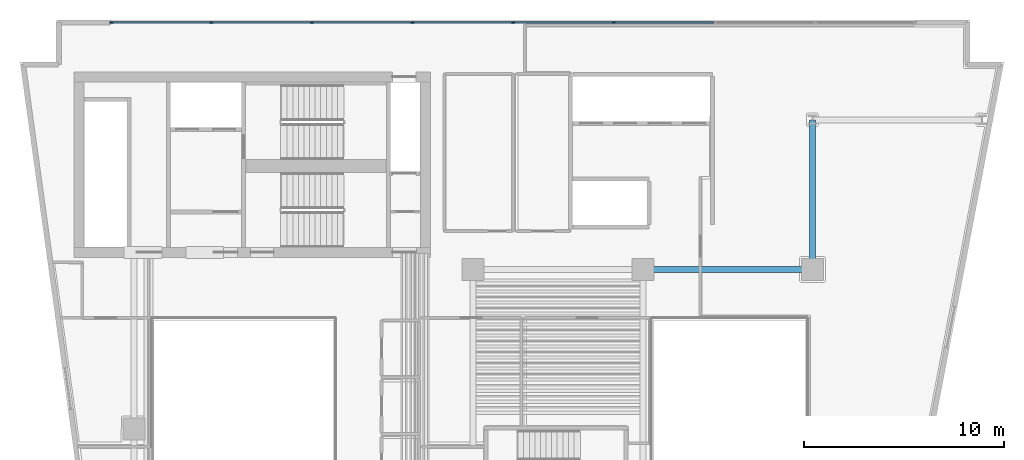
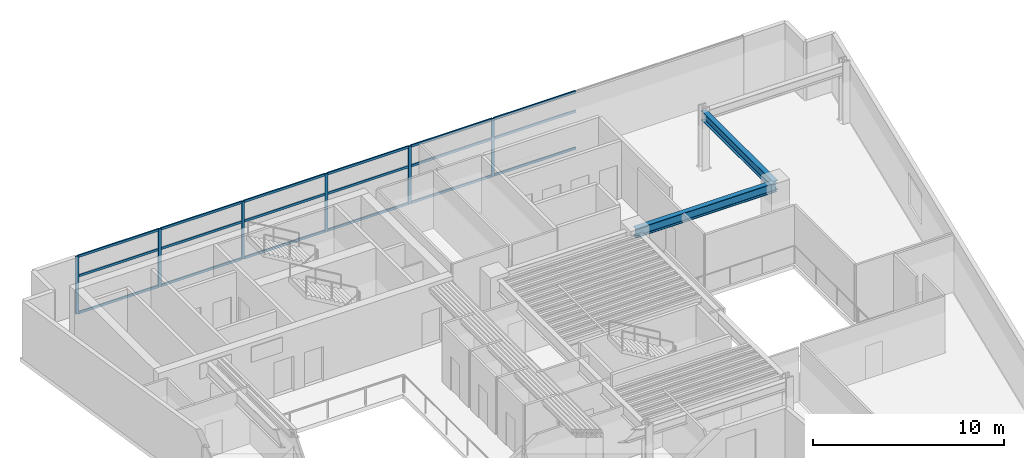
# One storey, part 3 of 12: 24 members, 2 beams, 1 element without a shape of its own.
"""IFC4 building model written with IfcOpenShell, lengths in metres."""

from ifc_helpers import new_model, si_unit, direction, frame, origin, origin_2d, place, context, subcontext, project, spatial, rectangle, i_section, extrude, material, layer, layer_set, material_profile, profile_set, type_object, element, aggregate, save


model = new_model("IFC4")

# Units and contexts
model_context = context("Model", 3, precision=1e-05, world=origin(), true_north=direction((0.0, 1.0)))
body_context = subcontext(model_context, "Body", "Model", "MODEL_VIEW")
ifc_project = project(units=[si_unit("LENGTHUNIT", "METRE"), si_unit("AREAUNIT", "SQUARE_METRE"), si_unit("VOLUMEUNIT", "CUBIC_METRE"), si_unit("PLANEANGLEUNIT", "RADIAN"), si_unit("MASSUNIT", "GRAM", prefix="KILO")], contexts=[model_context])

# Site, building, storey
site_placement = place(None, origin())
site = spatial("IfcSite", under=ifc_project, at=site_placement, CompositionType="ELEMENT")
building_placement = place(site_placement, origin())
building = spatial("IfcBuilding", under=site, at=building_placement, Name="Caeloran Harvest Quay", CompositionType="ELEMENT")
storey_placement = place(building_placement, frame((0.0, 0.0, 150.89990234375)))
storey = spatial("IfcBuildingStorey", under=building, at=storey_placement, Name="L35", CompositionType="ELEMENT", Elevation=150.89990234375)

# Beams
ifc_material_1 = material(Name="Steel S355J2", Category="steel")
ifc_material_profile_1 = material_profile(ifc_material_1, i_section(OverallWidth=0.300048828125, OverallDepth=0.60009765625, WebThickness=0.015380859375, FlangeThickness=0.030029296875, FilletRadius=0.027099609375, at=origin_2d()), Name="HE 600 B")
ifc_profile_set_1 = profile_set([ifc_material_profile_1], Name="Steel S355J2")
beam_type = type_object("IfcBeamType", Name="BM-PG-3-HE_600_B", PredefinedType="BEAM", material=ifc_profile_set_1)
beam_1_placement = place(storey_placement, frame((34.0, 31.0, 3.39013671875), z_axis=(1.0, 0.0, 0.0), x_axis=(0.0, 1.0, 0.0)))
element("IfcBeam", 1, at=beam_1_placement, inside=storey, type_object=beam_type, Name="L35 Primary East-West Girder Y=31.0", PredefinedType="BEAM", context=body_context, shape_type="SweptSolid", body=[
    extrude(i_section(OverallWidth=0.300048828125, OverallDepth=0.60009765625, WebThickness=0.015380859375, FlangeThickness=0.030029296875, FilletRadius=0.027099609375, at=origin_2d()), origin(), (0.0, 0.0, 1.0), 8.5),
])
beam_2_placement = place(storey_placement, frame((42.5, 31.0, 3.39013671875), z_axis=(0.0, 1.0, 0.0), x_axis=(-1.0, 0.0, 0.0)))
element("IfcBeam", 2, at=beam_2_placement, inside=storey, type_object=beam_type, Name="L35 Primary North-South Girder X=42.5", PredefinedType="BEAM", context=body_context, shape_type="SweptSolid", body=[
    extrude(i_section(OverallWidth=0.300048828125, OverallDepth=0.60009765625, WebThickness=0.015380859375, FlangeThickness=0.030029296875, FilletRadius=0.027099609375, at=origin_2d()), origin(), (0.0, 0.0, 1.0), 7.5),
])

# Curtain wall, members
ifc_material_2 = material(Name="Aluminium 6063-T6 and Low-E Glazing", Category="aluminium")
ifc_layer = layer(ifc_material_2, 0.22998046875, Name="Aluminium 6063-T6 and Low-E Glazing")
ifc_layer_set = layer_set([ifc_layer], Name="Aluminium 6063-T6 and Low-E Glazing")
curtain_wall_type = type_object("IfcCurtainWallType", Name="CW-SYS-CW-6", PredefinedType="USERDEFINED", material=ifc_layer_set)
curtain_wall_placement = place(storey_placement, origin())
curtain_wall = element("IfcCurtainWall", 3, at=curtain_wall_placement, inside=storey, type_object=curtain_wall_type, Name="L35 Unitised Curtain Wall CW-6 Run 6", ObjectType="CURTAIN_WALL", PredefinedType="USERDEFINED")
ifc_material_3 = material(Name="Aluminium 6063-T6", Category="aluminium")
ifc_material_profile_2 = material_profile(ifc_material_3, rectangle(XDim=0.080078125, YDim=0.179931640625, at=origin_2d()), Name="CW-MULLION-180")
ifc_profile_set_2 = profile_set([ifc_material_profile_2], Name="Aluminium 6063-T6")
member_type_1 = type_object("IfcMemberType", Name="CW-MULLION-180", PredefinedType="MULLION", material=ifc_profile_set_2)
member_1_placement = place(storey_placement, frame((7.3701171875, 43.3701171875, 0.0), z_axis=(0.0, 0.0, 1.0), x_axis=(0.0, 1.0, 0.0)))
member_1 = element("IfcMember", 4, at=member_1_placement, type_object=member_type_1, Name="CW-6 mullion 1", PredefinedType="MULLION", context=body_context, shape_type="SweptSolid", body=[
    extrude(rectangle(XDim=0.080078125, YDim=0.179931640625, at=origin_2d()), origin(), (0.0, 0.0, 1.0), 3.690185546875),
])
member_2_placement = place(storey_placement, frame((12.37255859375, 43.3701171875, 0.0), z_axis=(0.0, 0.0, 1.0), x_axis=(0.0, 1.0, 0.0)))
member_2 = element("IfcMember", 5, at=member_2_placement, type_object=member_type_1, Name="CW-6 mullion 2", PredefinedType="MULLION", context=body_context, shape_type="SweptSolid", body=[
    extrude(rectangle(XDim=0.080078125, YDim=0.179931640625, at=origin_2d()), origin(), (0.0, 0.0, 1.0), 3.690185546875),
])
member_3_placement = place(storey_placement, frame((17.4150390625, 43.3701171875, 0.0), z_axis=(0.0, 0.0, 1.0), x_axis=(0.0, 1.0, 0.0)))
member_3 = element("IfcMember", 6, at=member_3_placement, type_object=member_type_1, Name="CW-6 mullion 3", PredefinedType="MULLION", context=body_context, shape_type="SweptSolid", body=[
    extrude(rectangle(XDim=0.080078125, YDim=0.179931640625, at=origin_2d()), origin(), (0.0, 0.0, 1.0), 3.690185546875),
])
member_4_placement = place(storey_placement, frame((22.45751953125, 43.3701171875, 0.0), z_axis=(0.0, 0.0, 1.0), x_axis=(0.0, 1.0, 0.0)))
member_4 = element("IfcMember", 7, at=member_4_placement, type_object=member_type_1, Name="CW-6 mullion 4", PredefinedType="MULLION", context=body_context, shape_type="SweptSolid", body=[
    extrude(rectangle(XDim=0.080078125, YDim=0.179931640625, at=origin_2d()), origin(), (0.0, 0.0, 1.0), 3.690185546875),
])
member_5_placement = place(storey_placement, frame((27.5, 43.3701171875, 0.0), z_axis=(0.0, 0.0, 1.0), x_axis=(0.0, 1.0, 0.0)))
member_5 = element("IfcMember", 8, at=member_5_placement, type_object=member_type_1, Name="CW-6 mullion 5", PredefinedType="MULLION", context=body_context, shape_type="SweptSolid", body=[
    extrude(rectangle(XDim=0.080078125, YDim=0.179931640625, at=origin_2d()), origin(), (0.0, 0.0, 1.0), 3.690185546875),
])
member_6_placement = place(storey_placement, frame((32.54248046875, 43.3701171875, 0.0), z_axis=(0.0, 0.0, 1.0), x_axis=(0.0, 1.0, 0.0)))
member_6 = element("IfcMember", 9, at=member_6_placement, type_object=member_type_1, Name="CW-6 mullion 6", PredefinedType="MULLION", context=body_context, shape_type="SweptSolid", body=[
    extrude(rectangle(XDim=0.080078125, YDim=0.179931640625, at=origin_2d()), origin(), (0.0, 0.0, 1.0), 3.690185546875),
])
ifc_material_profile_3 = material_profile(ifc_material_3, rectangle(XDim=0.080078125, YDim=0.14990234375, at=origin_2d()), Name="CW-TRANSOM-150")
ifc_profile_set_3 = profile_set([ifc_material_profile_3], Name="Aluminium 6063-T6")
member_type_2 = type_object("IfcMemberType", Name="CW-TRANSOM-150", PredefinedType="USERDEFINED", material=ifc_profile_set_3)
member_7_placement = place(storey_placement, frame((7.409912109375, 43.3701171875, 0.0400390625), z_axis=(1.0, 0.0, 0.0), x_axis=(0.0, 1.0, 0.0)))
member_7 = element("IfcMember", 10, at=member_7_placement, type_object=member_type_2, Name="CW-6 transom 1.1", ObjectType="TRANSOM", PredefinedType="USERDEFINED", context=body_context, shape_type="SweptSolid", body=[
    extrude(rectangle(XDim=0.080078125, YDim=0.14990234375, at=origin_2d()), origin(), (0.0, 0.0, 1.0), 4.922607421875),
])
member_8_placement = place(storey_placement, frame((7.409912109375, 43.3701171875, 2.400146484375), z_axis=(1.0, 0.0, 0.0), x_axis=(0.0, 1.0, 0.0)))
member_8 = element("IfcMember", 11, at=member_8_placement, type_object=member_type_2, Name="CW-6 transom 1.2", ObjectType="TRANSOM", PredefinedType="USERDEFINED", context=body_context, shape_type="SweptSolid", body=[
    extrude(rectangle(XDim=0.080078125, YDim=0.14990234375, at=origin_2d()), origin(), (0.0, 0.0, 1.0), 4.922607421875),
])
member_9_placement = place(storey_placement, frame((7.409912109375, 43.3701171875, 3.650146484375), z_axis=(1.0, 0.0, 0.0), x_axis=(0.0, 1.0, 0.0)))
member_9 = element("IfcMember", 12, at=member_9_placement, type_object=member_type_2, Name="CW-6 transom 1.3", ObjectType="TRANSOM", PredefinedType="USERDEFINED", context=body_context, shape_type="SweptSolid", body=[
    extrude(rectangle(XDim=0.080078125, YDim=0.14990234375, at=origin_2d()), origin(), (0.0, 0.0, 1.0), 4.922607421875),
])
member_10_placement = place(storey_placement, frame((12.41259765625, 43.3701171875, 0.0400390625), z_axis=(1.0, 0.0, 0.0), x_axis=(0.0, 1.0, 0.0)))
member_10 = element("IfcMember", 13, at=member_10_placement, type_object=member_type_2, Name="CW-6 transom 2.1", ObjectType="TRANSOM", PredefinedType="USERDEFINED", context=body_context, shape_type="SweptSolid", body=[
    extrude(rectangle(XDim=0.080078125, YDim=0.14990234375, at=origin_2d()), origin(), (0.0, 0.0, 1.0), 4.96240234375),
])
member_11_placement = place(storey_placement, frame((12.41259765625, 43.3701171875, 2.400146484375), z_axis=(1.0, 0.0, 0.0), x_axis=(0.0, 1.0, 0.0)))
member_11 = element("IfcMember", 14, at=member_11_placement, type_object=member_type_2, Name="CW-6 transom 2.2", ObjectType="TRANSOM", PredefinedType="USERDEFINED", context=body_context, shape_type="SweptSolid", body=[
    extrude(rectangle(XDim=0.080078125, YDim=0.14990234375, at=origin_2d()), origin(), (0.0, 0.0, 1.0), 4.96240234375),
])
member_12_placement = place(storey_placement, frame((12.41259765625, 43.3701171875, 3.650146484375), z_axis=(1.0, 0.0, 0.0), x_axis=(0.0, 1.0, 0.0)))
member_12 = element("IfcMember", 15, at=member_12_placement, type_object=member_type_2, Name="CW-6 transom 2.3", ObjectType="TRANSOM", PredefinedType="USERDEFINED", context=body_context, shape_type="SweptSolid", body=[
    extrude(rectangle(XDim=0.080078125, YDim=0.14990234375, at=origin_2d()), origin(), (0.0, 0.0, 1.0), 4.96240234375),
])
member_13_placement = place(storey_placement, frame((17.455078125, 43.3701171875, 0.0400390625), z_axis=(1.0, 0.0, 0.0), x_axis=(0.0, 1.0, 0.0)))
member_13 = element("IfcMember", 16, at=member_13_placement, type_object=member_type_2, Name="CW-6 transom 3.1", ObjectType="TRANSOM", PredefinedType="USERDEFINED", context=body_context, shape_type="SweptSolid", body=[
    extrude(rectangle(XDim=0.080078125, YDim=0.14990234375, at=origin_2d()), origin(), (0.0, 0.0, 1.0), 4.96240234375),
])
member_14_placement = place(storey_placement, frame((17.455078125, 43.3701171875, 2.400146484375), z_axis=(1.0, 0.0, 0.0), x_axis=(0.0, 1.0, 0.0)))
member_14 = element("IfcMember", 17, at=member_14_placement, type_object=member_type_2, Name="CW-6 transom 3.2", ObjectType="TRANSOM", PredefinedType="USERDEFINED", context=body_context, shape_type="SweptSolid", body=[
    extrude(rectangle(XDim=0.080078125, YDim=0.14990234375, at=origin_2d()), origin(), (0.0, 0.0, 1.0), 4.96240234375),
])
member_15_placement = place(storey_placement, frame((17.455078125, 43.3701171875, 3.650146484375), z_axis=(1.0, 0.0, 0.0), x_axis=(0.0, 1.0, 0.0)))
member_15 = element("IfcMember", 18, at=member_15_placement, type_object=member_type_2, Name="CW-6 transom 3.3", ObjectType="TRANSOM", PredefinedType="USERDEFINED", context=body_context, shape_type="SweptSolid", body=[
    extrude(rectangle(XDim=0.080078125, YDim=0.14990234375, at=origin_2d()), origin(), (0.0, 0.0, 1.0), 4.96240234375),
])
member_16_placement = place(storey_placement, frame((22.49755859375, 43.3701171875, 0.0400390625), z_axis=(1.0, 0.0, 0.0), x_axis=(0.0, 1.0, 0.0)))
member_16 = element("IfcMember", 19, at=member_16_placement, type_object=member_type_2, Name="CW-6 transom 4.1", ObjectType="TRANSOM", PredefinedType="USERDEFINED", context=body_context, shape_type="SweptSolid", body=[
    extrude(rectangle(XDim=0.080078125, YDim=0.14990234375, at=origin_2d()), origin(), (0.0, 0.0, 1.0), 4.96240234375),
])
member_17_placement = place(storey_placement, frame((22.49755859375, 43.3701171875, 2.400146484375), z_axis=(1.0, 0.0, 0.0), x_axis=(0.0, 1.0, 0.0)))
member_17 = element("IfcMember", 20, at=member_17_placement, type_object=member_type_2, Name="CW-6 transom 4.2", ObjectType="TRANSOM", PredefinedType="USERDEFINED", context=body_context, shape_type="SweptSolid", body=[
    extrude(rectangle(XDim=0.080078125, YDim=0.14990234375, at=origin_2d()), origin(), (0.0, 0.0, 1.0), 4.96240234375),
])
member_18_placement = place(storey_placement, frame((22.49755859375, 43.3701171875, 3.650146484375), z_axis=(1.0, 0.0, 0.0), x_axis=(0.0, 1.0, 0.0)))
member_18 = element("IfcMember", 21, at=member_18_placement, type_object=member_type_2, Name="CW-6 transom 4.3", ObjectType="TRANSOM", PredefinedType="USERDEFINED", context=body_context, shape_type="SweptSolid", body=[
    extrude(rectangle(XDim=0.080078125, YDim=0.14990234375, at=origin_2d()), origin(), (0.0, 0.0, 1.0), 4.96240234375),
])
member_19_placement = place(storey_placement, frame((27.5400390625, 43.3701171875, 0.0400390625), z_axis=(1.0, 0.0, 0.0), x_axis=(0.0, 1.0, 0.0)))
member_19 = element("IfcMember", 22, at=member_19_placement, type_object=member_type_2, Name="CW-6 transom 5.1", ObjectType="TRANSOM", PredefinedType="USERDEFINED", context=body_context, shape_type="SweptSolid", body=[
    extrude(rectangle(XDim=0.080078125, YDim=0.14990234375, at=origin_2d()), origin(), (0.0, 0.0, 1.0), 4.96240234375),
])
member_20_placement = place(storey_placement, frame((27.5400390625, 43.3701171875, 2.400146484375), z_axis=(1.0, 0.0, 0.0), x_axis=(0.0, 1.0, 0.0)))
member_20 = element("IfcMember", 23, at=member_20_placement, type_object=member_type_2, Name="CW-6 transom 5.2", ObjectType="TRANSOM", PredefinedType="USERDEFINED", context=body_context, shape_type="SweptSolid", body=[
    extrude(rectangle(XDim=0.080078125, YDim=0.14990234375, at=origin_2d()), origin(), (0.0, 0.0, 1.0), 4.96240234375),
])
member_21_placement = place(storey_placement, frame((27.5400390625, 43.3701171875, 3.650146484375), z_axis=(1.0, 0.0, 0.0), x_axis=(0.0, 1.0, 0.0)))
member_21 = element("IfcMember", 24, at=member_21_placement, type_object=member_type_2, Name="CW-6 transom 5.3", ObjectType="TRANSOM", PredefinedType="USERDEFINED", context=body_context, shape_type="SweptSolid", body=[
    extrude(rectangle(XDim=0.080078125, YDim=0.14990234375, at=origin_2d()), origin(), (0.0, 0.0, 1.0), 4.96240234375),
])
member_22_placement = place(storey_placement, frame((32.58251953125, 43.3701171875, 0.0400390625), z_axis=(1.0, 0.0, 0.0), x_axis=(0.0, 1.0, 0.0)))
member_22 = element("IfcMember", 25, at=member_22_placement, type_object=member_type_2, Name="CW-6 transom 6.1", ObjectType="TRANSOM", PredefinedType="USERDEFINED", context=body_context, shape_type="SweptSolid", body=[
    extrude(rectangle(XDim=0.080078125, YDim=0.14990234375, at=origin_2d()), origin(), (0.0, 0.0, 1.0), 4.96240234375),
])
member_23_placement = place(storey_placement, frame((32.58251953125, 43.3701171875, 2.400146484375), z_axis=(1.0, 0.0, 0.0), x_axis=(0.0, 1.0, 0.0)))
member_23 = element("IfcMember", 26, at=member_23_placement, type_object=member_type_2, Name="CW-6 transom 6.2", ObjectType="TRANSOM", PredefinedType="USERDEFINED", context=body_context, shape_type="SweptSolid", body=[
    extrude(rectangle(XDim=0.080078125, YDim=0.14990234375, at=origin_2d()), origin(), (0.0, 0.0, 1.0), 4.96240234375),
])
member_24_placement = place(storey_placement, frame((32.58251953125, 43.3701171875, 3.650146484375), z_axis=(1.0, 0.0, 0.0), x_axis=(0.0, 1.0, 0.0)))
member_24 = element("IfcMember", 27, at=member_24_placement, type_object=member_type_2, Name="CW-6 transom 6.3", ObjectType="TRANSOM", PredefinedType="USERDEFINED", context=body_context, shape_type="SweptSolid", body=[
    extrude(rectangle(XDim=0.080078125, YDim=0.14990234375, at=origin_2d()), origin(), (0.0, 0.0, 1.0), 4.96240234375),
])
aggregate(curtain_wall, [member_1, member_2, member_3, member_4, member_5, member_6, member_7, member_8, member_9, member_10, member_11, member_12, member_13, member_14, member_15, member_16, member_17, member_18, member_19, member_20, member_21, member_22, member_23, member_24])

save(model, "model.ifc")
